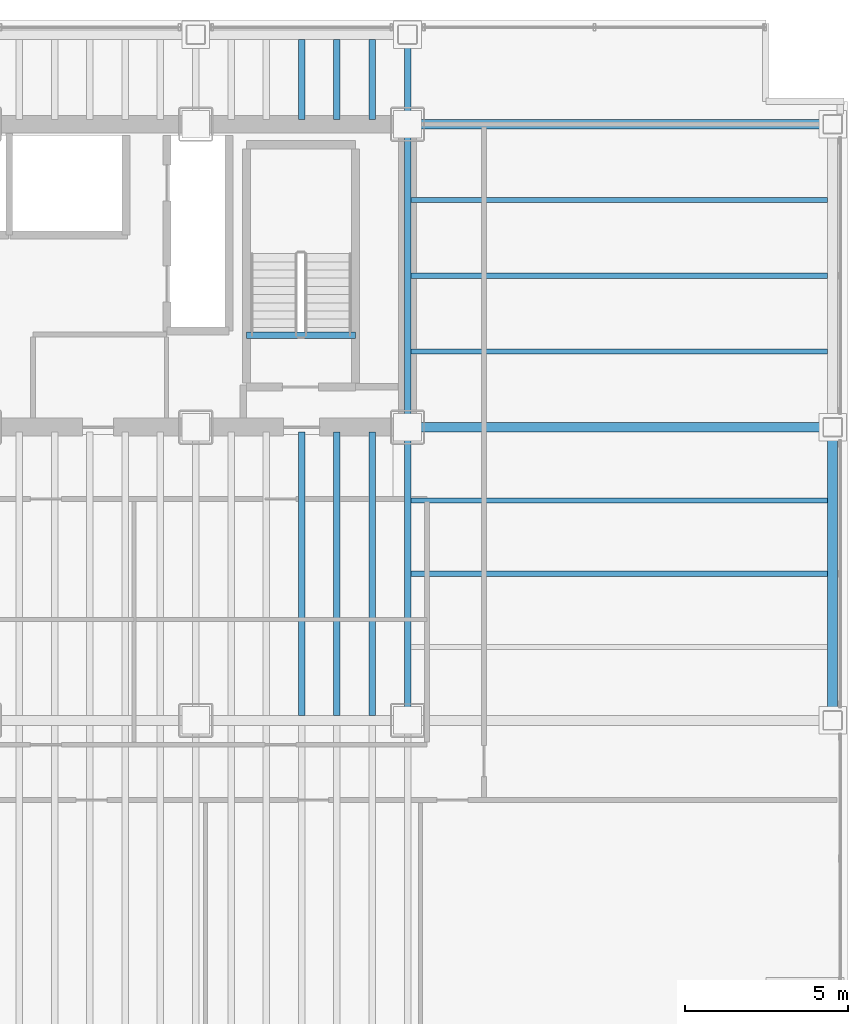
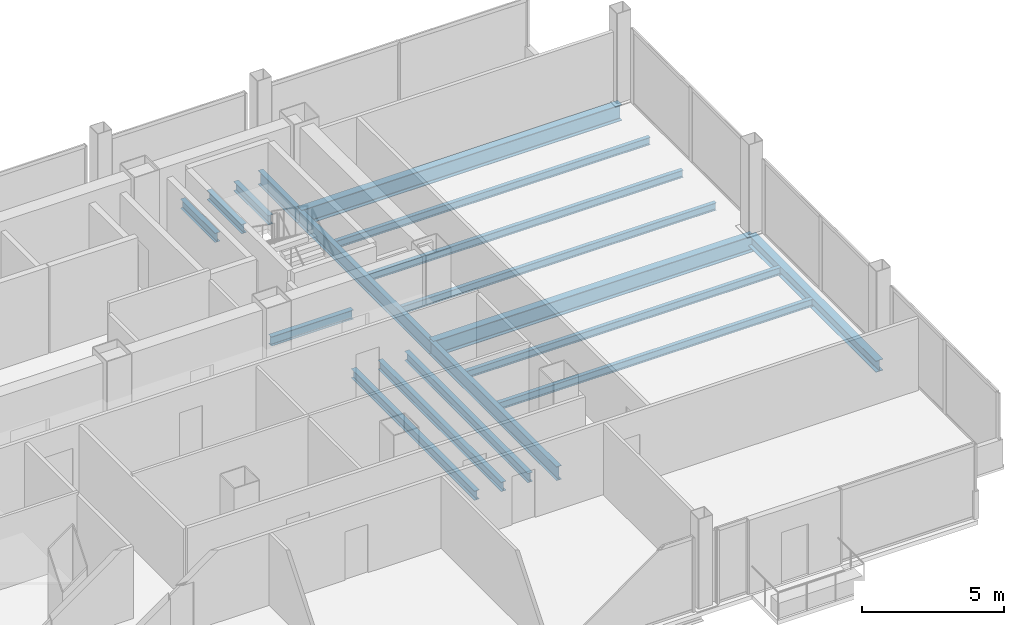
# One storey, part 12 of 22: 18 beams.
"""IFC4 building model written with IfcOpenShell, lengths in metres."""

from ifc_helpers import new_model, si_unit, direction, frame, origin, origin_2d, place, context, subcontext, project, spatial, i_section, extrude, material, material_profile, profile_set, type_object, element, save


model = new_model("IFC4")

# Units and contexts
model_context = context("Model", 3, precision=1e-05, world=origin(), true_north=direction((0.0, 1.0)))
body_context = subcontext(model_context, "Body", "Model", "MODEL_VIEW")
ifc_project = project(units=[si_unit("LENGTHUNIT", "METRE"), si_unit("AREAUNIT", "SQUARE_METRE"), si_unit("VOLUMEUNIT", "CUBIC_METRE"), si_unit("PLANEANGLEUNIT", "RADIAN"), si_unit("MASSUNIT", "GRAM", prefix="KILO")], contexts=[model_context])

# Site, building, storey
site_placement = place(None, origin())
site = spatial("IfcSite", under=ifc_project, at=site_placement, CompositionType="ELEMENT")
building_placement = place(site_placement, origin())
building = spatial("IfcBuilding", under=site, at=building_placement, Name="Noeulbin Bourse Tower", CompositionType="ELEMENT")
storey_placement = place(building_placement, frame((0.0, 0.0, 88.89990234375)))
storey = spatial("IfcBuildingStorey", under=building, at=storey_placement, Name="L22", CompositionType="ELEMENT", Elevation=88.89990234375)

# Beams
ifc_material = material(Name="Steel S355", Category="steel")
ifc_material_profile_1 = material_profile(ifc_material, i_section(OverallWidth=0.199951171875, OverallDepth=0.60009765625, WebThickness=0.010986328125, FlangeThickness=0.01708984375, FilletRadius=0.02197265625, at=origin_2d()), Name="H-600x200x11x17", Category="LoadBearing")
ifc_profile_set_1 = profile_set([ifc_material_profile_1], Name="Steel S355")
beam_type_1 = type_object("IfcBeamType", Name="BM-GRD-600", PredefinedType="USERDEFINED", material=ifc_profile_set_1)
beam_1_placement = place(storey_placement, frame((44.0, 20.0, -0.47998046875), z_axis=(0.0, 1.0, 0.0), x_axis=(-1.0, 0.0, 0.0)))
element("IfcBeam", 1, at=beam_1_placement, inside=storey, type_object=beam_type_1, Name="Tower Primary Girder NS L22-5.2", ObjectType="GIRDER", PredefinedType="USERDEFINED", context=body_context, shape_type="SweptSolid", body=[
    extrude(i_section(OverallWidth=0.199951171875, OverallDepth=0.60009765625, WebThickness=0.010986328125, FlangeThickness=0.01708984375, FilletRadius=0.02197265625, at=origin_2d()), origin(), (0.0, 0.0, 1.0), 9.0),
])
beam_2_placement = place(storey_placement, frame((44.0, 29.0, -0.47998046875), z_axis=(0.0, 1.0, 0.0), x_axis=(-1.0, 0.0, 0.0)))
element("IfcBeam", 2, at=beam_2_placement, inside=storey, type_object=beam_type_1, Name="Tower Primary Girder NS L22-5.3", ObjectType="GIRDER", PredefinedType="USERDEFINED", context=body_context, shape_type="SweptSolid", body=[
    extrude(i_section(OverallWidth=0.199951171875, OverallDepth=0.60009765625, WebThickness=0.010986328125, FlangeThickness=0.01708984375, FilletRadius=0.02197265625, at=origin_2d()), origin(), (0.0, 0.0, 1.0), 9.300048828125),
])
beam_3_placement = place(storey_placement, frame((44.0, 38.300048828125, -0.47998046875), z_axis=(0.0, 1.0, 0.0), x_axis=(-1.0, 0.0, 0.0)))
element("IfcBeam", 3, at=beam_3_placement, inside=storey, type_object=beam_type_1, Name="Tower Primary Girder NS L22-5.4", ObjectType="GIRDER", PredefinedType="USERDEFINED", context=body_context, shape_type="SweptSolid", body=[
    extrude(i_section(OverallWidth=0.199951171875, OverallDepth=0.60009765625, WebThickness=0.010986328125, FlangeThickness=0.01708984375, FilletRadius=0.02197265625, at=origin_2d()), origin(), (0.0, 0.0, 1.0), 2.75),
])
ifc_material_profile_2 = material_profile(ifc_material, i_section(OverallWidth=0.300048828125, OverallDepth=0.699951171875, WebThickness=0.012939453125, FlangeThickness=0.02392578125, FilletRadius=0.02392578125, at=origin_2d()), Name="H-700x300x13x24", Category="LoadBearing")
ifc_profile_set_2 = profile_set([ifc_material_profile_2], Name="Steel S355")
beam_type_2 = type_object("IfcBeamType", Name="BM-GRD-700", PredefinedType="USERDEFINED", material=ifc_profile_set_2)
for number, where, z_axis, x_axis, name in (
    (4, (44.0, 29.0, -0.52978515625), (1.0, 0.0, 0.0), (0.0, 1.0, 0.0), "Tower Primary Girder EW L22-2.6"),
    (5, (44.0, 38.300048828125, -0.52978515625), (1.0, 0.0, 0.0), (0.0, 1.0, 0.0), "Tower Primary Girder EW L22-3.6"),
):
    element("IfcBeam", number, at=place(storey_placement, frame(where, z_axis=z_axis, x_axis=x_axis)), inside=storey, type_object=beam_type_2, Name=name, ObjectType="GIRDER", PredefinedType="USERDEFINED", context=body_context, shape_type="SweptSolid", body=[
        extrude(i_section(OverallWidth=0.300048828125, OverallDepth=0.699951171875, WebThickness=0.012939453125, FlangeThickness=0.02392578125, FilletRadius=0.02392578125, at=origin_2d()), origin(), (0.0, 0.0, 1.0), 13.050048828125),
    ])
ifc_material_profile_3 = material_profile(ifc_material, i_section(OverallWidth=0.159912109375, OverallDepth=0.320068359375, WebThickness=0.006591796875, FlangeThickness=0.010009765625, FilletRadius=0.012939453125, at=origin_2d()), Name="H-320x160x6.5x10", Category="LoadBearing")
ifc_profile_set_3 = profile_set([ifc_material_profile_3], Name="Steel S355")
beam_type_3 = type_object("IfcBeamType", Name="BM-JST-320", PredefinedType="JOIST", material=ifc_profile_set_3)
for number, where, z_axis, x_axis, name in (
    (6, (44.10009765625, 24.5, -0.33984375), (1.0, 0.0, 0.0), (0.0, 1.0, 0.0), "Wing Composite Joist L22-E77"),
    (7, (44.10009765625, 26.75, -0.33984375), (1.0, 0.0, 0.0), (0.0, 1.0, 0.0), "Wing Composite Joist L22-E78"),
    (8, (44.10009765625, 31.324951171875, -0.33984375), (1.0, 0.0, 0.0), (0.0, 1.0, 0.0), "Wing Composite Joist L22-E79"),
    (9, (44.10009765625, 33.64990234375, -0.33984375), (1.0, 0.0, 0.0), (0.0, 1.0, 0.0), "Wing Composite Joist L22-E80"),
    (10, (44.10009765625, 35.97509765625, -0.33984375), (1.0, 0.0, 0.0), (0.0, 1.0, 0.0), "Wing Composite Joist L22-E81"),
):
    element("IfcBeam", number, at=place(storey_placement, frame(where, z_axis=z_axis, x_axis=x_axis)), inside=storey, type_object=beam_type_3, Name=name, PredefinedType="JOIST", context=body_context, shape_type="SweptSolid", body=[
        extrude(i_section(OverallWidth=0.159912109375, OverallDepth=0.320068359375, WebThickness=0.006591796875, FlangeThickness=0.010009765625, FilletRadius=0.012939453125, at=origin_2d()), origin(), (0.0, 0.0, 1.0), 12.7998046875),
    ])
ifc_material_profile_4 = material_profile(ifc_material, i_section(OverallWidth=0.199951171875, OverallDepth=0.39990234375, WebThickness=0.008056640625, FlangeThickness=0.012939453125, FilletRadius=0.01611328125, at=origin_2d()), Name="H-400x200x8x13", Category="LoadBearing")
ifc_profile_set_4 = profile_set([ifc_material_profile_4], Name="Steel S355")
beam_type_4 = type_object("IfcBeamType", Name="BM-SEC-400", PredefinedType="BEAM", material=ifc_profile_set_4)
beam_4_placement = place(storey_placement, frame((40.75, 20.14990234375, -0.3798828125), z_axis=(0.0, 1.0, 0.0), x_axis=(-1.0, 0.0, 0.0)))
element("IfcBeam", 11, at=beam_4_placement, inside=storey, type_object=beam_type_4, Name="Tower Composite Joist L22-62", PredefinedType="BEAM", context=body_context, shape_type="SweptSolid", body=[
    extrude(i_section(OverallWidth=0.199951171875, OverallDepth=0.39990234375, WebThickness=0.008056640625, FlangeThickness=0.012939453125, FilletRadius=0.01611328125, at=origin_2d()), origin(), (0.0, 0.0, 1.0), 8.7001953125),
])
beam_5_placement = place(storey_placement, frame((40.75, 38.449951171875, -0.3798828125), z_axis=(0.0, 1.0, 0.0), x_axis=(-1.0, 0.0, 0.0)))
element("IfcBeam", 12, at=beam_5_placement, inside=storey, type_object=beam_type_4, Name="Tower Composite Joist L22-63", PredefinedType="BEAM", context=body_context, shape_type="SweptSolid", body=[
    extrude(i_section(OverallWidth=0.199951171875, OverallDepth=0.39990234375, WebThickness=0.008056640625, FlangeThickness=0.012939453125, FilletRadius=0.01611328125, at=origin_2d()), origin(), (0.0, 0.0, 1.0), 2.449951171875),
])
beam_6_placement = place(storey_placement, frame((41.833251953125, 20.14990234375, -0.3798828125), z_axis=(0.0, 1.0, 0.0), x_axis=(-1.0, 0.0, 0.0)))
element("IfcBeam", 13, at=beam_6_placement, inside=storey, type_object=beam_type_4, Name="Tower Composite Joist L22-65", PredefinedType="BEAM", context=body_context, shape_type="SweptSolid", body=[
    extrude(i_section(OverallWidth=0.199951171875, OverallDepth=0.39990234375, WebThickness=0.008056640625, FlangeThickness=0.012939453125, FilletRadius=0.01611328125, at=origin_2d()), origin(), (0.0, 0.0, 1.0), 8.7001953125),
])
beam_7_placement = place(storey_placement, frame((41.833251953125, 38.449951171875, -0.3798828125), z_axis=(0.0, 1.0, 0.0), x_axis=(-1.0, 0.0, 0.0)))
element("IfcBeam", 14, at=beam_7_placement, inside=storey, type_object=beam_type_4, Name="Tower Composite Joist L22-66", PredefinedType="BEAM", context=body_context, shape_type="SweptSolid", body=[
    extrude(i_section(OverallWidth=0.199951171875, OverallDepth=0.39990234375, WebThickness=0.008056640625, FlangeThickness=0.012939453125, FilletRadius=0.01611328125, at=origin_2d()), origin(), (0.0, 0.0, 1.0), 2.449951171875),
])
beam_8_placement = place(storey_placement, frame((42.916748046875, 20.14990234375, -0.3798828125), z_axis=(0.0, 1.0, 0.0), x_axis=(-1.0, 0.0, 0.0)))
element("IfcBeam", 15, at=beam_8_placement, inside=storey, type_object=beam_type_4, Name="Tower Composite Joist L22-68", PredefinedType="BEAM", context=body_context, shape_type="SweptSolid", body=[
    extrude(i_section(OverallWidth=0.199951171875, OverallDepth=0.39990234375, WebThickness=0.008056640625, FlangeThickness=0.012939453125, FilletRadius=0.01611328125, at=origin_2d()), origin(), (0.0, 0.0, 1.0), 8.7001953125),
])
beam_9_placement = place(storey_placement, frame((42.916748046875, 38.449951171875, -0.3798828125), z_axis=(0.0, 1.0, 0.0), x_axis=(-1.0, 0.0, 0.0)))
element("IfcBeam", 16, at=beam_9_placement, inside=storey, type_object=beam_type_4, Name="Tower Composite Joist L22-69", PredefinedType="BEAM", context=body_context, shape_type="SweptSolid", body=[
    extrude(i_section(OverallWidth=0.199951171875, OverallDepth=0.39990234375, WebThickness=0.008056640625, FlangeThickness=0.012939453125, FilletRadius=0.01611328125, at=origin_2d()), origin(), (0.0, 0.0, 1.0), 2.449951171875),
])
beam_10_placement = place(storey_placement, frame((39.06005859375, 31.820068359375, -0.199951171875), z_axis=(1.0, 0.0, 0.0), x_axis=(0.0, 1.0, 0.0)))
element("IfcBeam", 17, at=beam_10_placement, inside=storey, type_object=beam_type_4, Name="Stair Threshold Trimmer Beam ST2-L22", PredefinedType="BEAM", context=body_context, shape_type="SweptSolid", body=[
    extrude(i_section(OverallWidth=0.199951171875, OverallDepth=0.39990234375, WebThickness=0.008056640625, FlangeThickness=0.012939453125, FilletRadius=0.01611328125, at=origin_2d()), origin(), (0.0, 0.0, 1.0), 3.33984375),
])
ifc_material_profile_5 = material_profile(ifc_material, i_section(OverallWidth=0.300048828125, OverallDepth=0.488037109375, WebThickness=0.010986328125, FlangeThickness=0.01806640625, FilletRadius=0.02197265625, at=origin_2d()), Name="H-488x300x11x18", Category="LoadBearing")
ifc_profile_set_5 = profile_set([ifc_material_profile_5], Name="Steel S355")
beam_type_5 = type_object("IfcBeamType", Name="BM-SPN-488", PredefinedType="SPANDREL", material=ifc_profile_set_5)
beam_11_placement = place(storey_placement, frame((57.050048828125, 20.0, -0.423828125), z_axis=(0.0, 1.0, 0.0), x_axis=(-1.0, 0.0, 0.0)))
element("IfcBeam", 18, at=beam_11_placement, inside=storey, type_object=beam_type_5, Name="East Spandrel L22-1", PredefinedType="SPANDREL", context=body_context, shape_type="SweptSolid", body=[
    extrude(i_section(OverallWidth=0.300048828125, OverallDepth=0.488037109375, WebThickness=0.010986328125, FlangeThickness=0.01806640625, FilletRadius=0.02197265625, at=origin_2d()), origin(), (0.0, 0.0, 1.0), 9.0),
])

save(model, "model.ifc")
